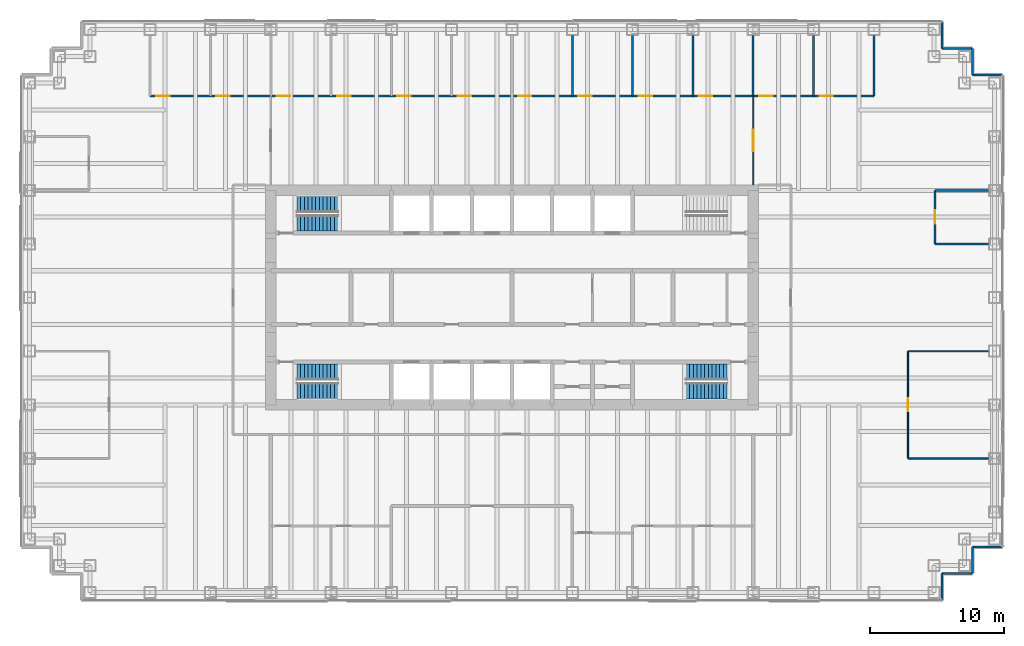
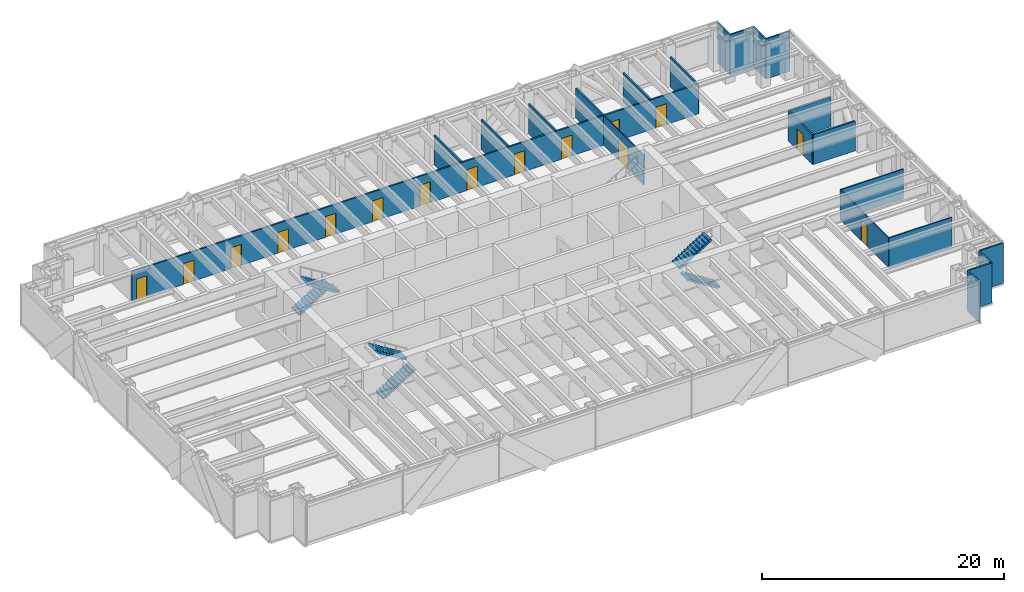
# One storey, part 15 of 17: 22 walls, 15 doors, 6 stair flights, 15 openings, 3 elements without a shape of their own.
"""IFC4 building model written with IfcOpenShell, lengths in metres."""

import ifcopenshell
import ifcopenshell.guid

model = None  # the IFC model being written
_history = None  # IfcOwnerHistory: only IFC2X3 demands one
_inside = {}  # id of a spatial element -> (the spatial element, [elements in it])
_under = {}  # id of a project, library or spatial element -> (it, [spatial elements below it])
_declared = {}  # id of a project -> (the project, [libraries it declares])
_typed = {}  # id of a type object -> (the type object, [elements of that type])
_made_of = {}  # id of a material, layer set ... -> (it, [elements and type objects made of it])


def new_model(schema):
    """Start an empty IFC model of exactly this schema.

    Asked for "IFC4X3", IfcOpenShell would pick the latest addendum, in which some entities
    have other attributes; the version numbers below select the first issue.
    IFC2X3 requires an IfcOwnerHistory on every rooted entity: one is made here for all.
    """
    global model, _history
    if schema == "IFC4X3":
        model = ifcopenshell.file(schema_version=(4, 3, 0, 0))
    else:
        model = ifcopenshell.file(schema=schema)
    _inside.clear()
    _under.clear()
    _declared.clear()
    _typed.clear()
    _made_of.clear()
    _history = None
    if model.schema == "IFC2X3":
        org = make("IfcOrganization", Name="unknown")
        user = make(
            "IfcPersonAndOrganization",
            ThePerson=make("IfcPerson", FamilyName="unknown"),
            TheOrganization=org,
        )
        app = make(
            "IfcApplication",
            ApplicationDeveloper=org,
            Version="unknown",
            ApplicationFullName="unknown",
            ApplicationIdentifier="unknown",
        )
        _history = make(
            "IfcOwnerHistory",
            OwningUser=user,
            OwningApplication=app,
            ChangeAction="ADDED",
            CreationDate=0,
        )
    return model


def make(cls, **values):
    """One entity of the class cls with the attributes given. An attribute that is None is left unset."""
    return model.create_entity(
        cls, **{name: value for name, value in values.items() if value is not None}
    )


def rooted(cls, **values):
    """An entity with a GlobalId (a new one), such as an element, a storey or a relation."""
    return make(cls, GlobalId=ifcopenshell.guid.new(), OwnerHistory=_history, **values)


def si_unit(unit_type, name, prefix=None):
    """IfcSIUnit, for example si_unit("LENGTHUNIT", "METRE", prefix="MILLI")."""
    return make("IfcSIUnit", UnitType=unit_type, Prefix=prefix, Name=name)


def assignment(units):
    """IfcUnitAssignment: the units of a project."""
    return None if units is None else make("IfcUnitAssignment", Units=units)


def point(xyz):
    """IfcCartesianPoint."""
    return None if xyz is None else make("IfcCartesianPoint", Coordinates=xyz)


def direction(xyz):
    """IfcDirection."""
    return None if xyz is None else make("IfcDirection", DirectionRatios=xyz)


def frame(location, z_axis=None, x_axis=None):
    """IfcAxis2Placement3D, a coordinate frame: its origin and axes. An axis left out is left unset."""
    return make(
        "IfcAxis2Placement3D",
        Location=point(location),
        Axis=direction(z_axis),
        RefDirection=direction(x_axis),
    )


def frame_2d(location, x_axis=None):
    """IfcAxis2Placement2D, a coordinate frame in the plane: its origin and x axis."""
    return make(
        "IfcAxis2Placement2D", Location=point(location), RefDirection=direction(x_axis)
    )


def origin():
    """The frame at (0, 0, 0) with its axes left unset."""
    return frame((0.0, 0.0, 0.0))


def place(relative_to, where):
    """IfcLocalPlacement: puts the frame where relative to a parent placement (None: the world)."""
    return make(
        "IfcLocalPlacement", PlacementRelTo=relative_to, RelativePlacement=where
    )


def context(
    kind, dimensions, precision=None, world=None, true_north=None, identifier=None
):
    """IfcGeometricRepresentationContext, for example the 3D "Model" context."""
    return make(
        "IfcGeometricRepresentationContext",
        ContextIdentifier=identifier,
        ContextType=kind,
        CoordinateSpaceDimension=dimensions,
        Precision=precision,
        WorldCoordinateSystem=world,
        TrueNorth=true_north,
    )


def subcontext(parent, identifier, kind, view, scale=None):
    """IfcGeometricRepresentationSubContext, for example "Body" below "Model"."""
    return make(
        "IfcGeometricRepresentationSubContext",
        ContextIdentifier=identifier,
        ContextType=kind,
        ParentContext=parent,
        TargetScale=scale,
        TargetView=view,
    )


def project(units=None, contexts=None):
    """IfcProject with its units and contexts."""
    return rooted(
        "IfcProject",
        Name="project",
        RepresentationContexts=contexts,
        UnitsInContext=assignment(units),
    )


def spatial(cls, under=None, at=None, **own):
    """A site, building, storey or space (cls), placed at a placement, below another one or the project."""
    s = rooted(cls, ObjectPlacement=at, **own)
    if under is not None:
        _under.setdefault(under.id(), (under, []))[1].append(s)
    return s


def polyline(points):
    """IfcPolyline through the points."""
    return make("IfcPolyline", Points=[point(p) for p in points])


def profile(cls, at=None, kind="AREA", **sizes):
    """A parametric profile (cls). Its sizes go by their IFC names, for example OverallWidth=200.0."""
    return make(cls, ProfileType=kind, Position=at, **sizes)


def rectangle(**sizes):
    """IfcRectangleProfileDef."""
    return profile("IfcRectangleProfileDef", **sizes)


def outline(outer, holes=None, kind="AREA"):
    """IfcArbitraryClosedProfileDef: a profile drawn as a closed curve; with holes, ...WithVoids."""
    if holes is None:
        return make("IfcArbitraryClosedProfileDef", ProfileType=kind, OuterCurve=outer)
    return make(
        "IfcArbitraryProfileDefWithVoids",
        ProfileType=kind,
        OuterCurve=outer,
        InnerCurves=holes,
    )


def extrude(swept, where, along, depth):
    """IfcExtrudedAreaSolid: the profile swept, set in the frame where, extruded along a direction by depth."""
    return make(
        "IfcExtrudedAreaSolid",
        SweptArea=swept,
        Position=where,
        ExtrudedDirection=direction(along),
        Depth=depth,
    )


def shape(context_of_items, identifier, shape_type, items):
    """IfcShapeRepresentation: the items that make up one representation, for example the "Body"."""
    return make(
        "IfcShapeRepresentation",
        ContextOfItems=context_of_items,
        RepresentationIdentifier=identifier,
        RepresentationType=shape_type,
        Items=items,
    )


def material(Name=None, Category=None):
    """IfcMaterial."""
    return make("IfcMaterial", Name=Name, Category=Category)


def layer(
    of_material, thickness, ventilated=None, Name=None, Category=None, Priority=None
):
    """IfcMaterialLayer: one layer of a wall or slab, of a material (None: an air gap)."""
    return make(
        "IfcMaterialLayer",
        Material=of_material,
        LayerThickness=thickness,
        IsVentilated=ventilated,
        Name=Name,
        Category=Category,
        Priority=Priority,
    )


def layer_set(layers, Name=None):
    """IfcMaterialLayerSet."""
    return make("IfcMaterialLayerSet", MaterialLayers=layers, LayerSetName=Name)


def made_of(thing, what):
    """Note that an element or type object is made of a material, layer set ...; save() writes the relation."""
    if what is not None:
        _made_of.setdefault(what.id(), (what, []))[1].append(thing)
    return thing


def type_object(cls, material=None, **own):
    """A type object (cls), such as IfcWallType, which elements share."""
    return made_of(rooted(cls, **own), material)


def element(
    cls,
    number,
    at=None,
    inside=None,
    cuts=None,
    type_object=None,
    material=None,
    context=None,
    identifier="Body",
    shape_type=None,
    held_by="IfcProductDefinitionShape",
    body=None,
    shapes=None,
    **own,
):
    """One element of the class cls, such as IfcWall. Its Tag is "e" and its number.

    at: its placement. inside: the storey or other place that contains it. cuts: it is an
    opening in that element (IfcRelVoidsElement). A single representation is given by context,
    identifier, shape_type and body (its items); several are given by shapes. held_by: the class
    of the entity that holds the representations. save() writes the other relations.
    """
    e = rooted(cls, Tag="e%d" % number, ObjectPlacement=at, **own)
    if body is not None:
        shapes = [shape(context, identifier, shape_type, body)]
    if shapes is not None:
        e.Representation = make(held_by, Representations=shapes)
    if inside is not None:
        _inside.setdefault(inside.id(), (inside, []))[1].append(e)
    if cuts is not None:
        rooted(
            "IfcRelVoidsElement", RelatingBuildingElement=cuts, RelatedOpeningElement=e
        )
    if type_object is not None:
        _typed.setdefault(type_object.id(), (type_object, []))[1].append(e)
    return made_of(e, material)


def fill(opening, filler):
    """IfcRelFillsElement: the door or window that sits in an opening."""
    return rooted(
        "IfcRelFillsElement",
        RelatingOpeningElement=opening,
        RelatedBuildingElement=filler,
    )


def aggregate(whole, parts):
    """IfcRelAggregates: a whole, such as a stair, and the parts it consists of."""
    return rooted("IfcRelAggregates", RelatingObject=whole, RelatedObjects=parts)


def save(model, path):
    """Write the relations noted so far, then the file.

    IfcRelAggregates (storeys below a building ...), IfcRelContainedInSpatialStructure (elements
    in a storey), IfcRelDefinesByType, IfcRelAssociatesMaterial and IfcRelDeclares: one each for
    every whole, place, type object, material and project.
    """
    for whole, parts in _under.values():
        aggregate(whole, parts)
    for where, things in _inside.values():
        rooted(
            "IfcRelContainedInSpatialStructure",
            RelatedElements=things,
            RelatingStructure=where,
        )
    for kind, things in _typed.values():
        rooted("IfcRelDefinesByType", RelatedObjects=things, RelatingType=kind)
    for what, things in _made_of.values():
        rooted("IfcRelAssociatesMaterial", RelatedObjects=things, RelatingMaterial=what)
    for by, libraries in _declared.values():
        rooted("IfcRelDeclares", RelatingContext=by, RelatedDefinitions=libraries)
    model.write(path)


model = new_model("IFC4")

# Units and contexts
model_context = context("Model", 3, precision=1e-05, world=origin(), true_north=direction((0.0, 1.0)))
body_context = subcontext(model_context, "Body", "Model", "MODEL_VIEW")
ifc_project = project(units=[si_unit("LENGTHUNIT", "METRE"), si_unit("AREAUNIT", "SQUARE_METRE"), si_unit("VOLUMEUNIT", "CUBIC_METRE"), si_unit("PLANEANGLEUNIT", "RADIAN"), si_unit("MASSUNIT", "GRAM", prefix="KILO")], contexts=[model_context])

# Site, building, storey
site_placement = place(None, origin())
site = spatial("IfcSite", under=ifc_project, at=site_placement, CompositionType="ELEMENT")
building_placement = place(site_placement, origin())
building = spatial("IfcBuilding", under=site, at=building_placement, Name="Rheinbord Bourse Tower", CompositionType="ELEMENT")
storey_placement = place(building_placement, frame((0.0, 0.0, 223.60009765625)))
storey = spatial("IfcBuildingStorey", under=building, at=storey_placement, Name="L50", CompositionType="ELEMENT", Elevation=223.60009765625)

# Walls
ifc_material_1 = material(Name="Black metal rainscreen panel", Category="aluminium")
ifc_layer_1 = layer(ifc_material_1, 0.14990234375)
ifc_layer_set_1 = layer_set([ifc_layer_1], Name="CORNER PIER CLADDING 150")
wall_type_1 = type_object("IfcWallType", Name="CORNER PIER CLADDING 150", PredefinedType="ELEMENTEDWALL", material=ifc_layer_set_1)
wall_1_placement = place(storey_placement, frame((68.10009765625, 1.39990234375, 0.0), z_axis=(0.0, 0.0, 1.0), x_axis=(0.0, 1.0, 0.0)))
element("IfcWall", 1, at=wall_1_placement, inside=storey, type_object=wall_type_1, Name="Corner pier cladding L50 2", PredefinedType="ELEMENTEDWALL", context=body_context, shape_type="SweptSolid", body=[
    extrude(rectangle(XDim=2.0, YDim=0.14990234375, at=frame_2d((1.0, 0.0))), origin(), (0.0, 0.0, 1.0), 4.039794921875),
])
wall_2_placement = place(storey_placement, frame((68.10009765625, 3.39990234375, 0.0), z_axis=(0.0, 0.0, 1.0), x_axis=(1.0, 0.0, 0.0)))
element("IfcWall", 2, at=wall_2_placement, inside=storey, type_object=wall_type_1, Name="Corner pier cladding L50 3", PredefinedType="ELEMENTEDWALL", context=body_context, shape_type="SweptSolid", body=[
    extrude(rectangle(XDim=2.25, YDim=0.14990234375, at=frame_2d((1.125, 0.0))), origin(), (0.0, 0.0, 1.0), 4.039794921875),
])
wall_3_placement = place(storey_placement, frame((70.35009765625, 3.39990234375, 0.0), z_axis=(0.0, 0.0, 1.0), x_axis=(0.0, 1.0, 0.0)))
element("IfcWall", 3, at=wall_3_placement, inside=storey, type_object=wall_type_1, Name="Corner pier cladding L50 4", PredefinedType="ELEMENTEDWALL", context=body_context, shape_type="SweptSolid", body=[
    extrude(rectangle(XDim=2.0, YDim=0.14990234375, at=frame_2d((1.0, 0.0))), origin(), (0.0, 0.0, 1.0), 4.039794921875),
])
for number, where, z_axis, x_axis, name in (
    (4, (70.35009765625, 5.39990234375, 0.0), (0.0, 0.0, 1.0), (1.0, 0.0, 0.0), "Corner pier cladding L50 5"),
    (5, (72.60009765625, 40.60009765625, 0.0), (0.0, 0.0, 1.0), (-1.0, 0.0, 0.0), "Corner pier cladding L50 7"),
):
    element("IfcWall", number, at=place(storey_placement, frame(where, z_axis=z_axis, x_axis=x_axis)), inside=storey, type_object=wall_type_1, Name=name, PredefinedType="ELEMENTEDWALL", context=body_context, shape_type="SweptSolid", body=[
        extrude(rectangle(XDim=2.25, YDim=0.14990234375, at=frame_2d((1.125, 0.0))), origin(), (0.0, 0.0, 1.0), 4.039794921875),
    ])
wall_4_placement = place(storey_placement, frame((70.35009765625, 40.60009765625, 0.0), z_axis=(0.0, 0.0, 1.0), x_axis=(0.0, 1.0, 0.0)))
element("IfcWall", 6, at=wall_4_placement, inside=storey, type_object=wall_type_1, Name="Corner pier cladding L50 8", PredefinedType="ELEMENTEDWALL", context=body_context, shape_type="SweptSolid", body=[
    extrude(rectangle(XDim=2.0, YDim=0.14990234375, at=frame_2d((1.0, 0.0))), origin(), (0.0, 0.0, 1.0), 4.039794921875),
])
wall_5_placement = place(storey_placement, frame((70.35009765625, 42.60009765625, 0.0), z_axis=(0.0, 0.0, 1.0), x_axis=(-1.0, 0.0, 0.0)))
element("IfcWall", 7, at=wall_5_placement, inside=storey, type_object=wall_type_1, Name="Corner pier cladding L50 9", PredefinedType="ELEMENTEDWALL", context=body_context, shape_type="SweptSolid", body=[
    extrude(rectangle(XDim=2.25, YDim=0.14990234375, at=frame_2d((1.125, 0.0))), origin(), (0.0, 0.0, 1.0), 4.039794921875),
])
wall_6_placement = place(storey_placement, frame((68.10009765625, 42.60009765625, 0.0), z_axis=(0.0, 0.0, 1.0), x_axis=(0.0, 1.0, 0.0)))
element("IfcWall", 8, at=wall_6_placement, inside=storey, type_object=wall_type_1, Name="Corner pier cladding L50 10", PredefinedType="ELEMENTEDWALL", context=body_context, shape_type="SweptSolid", body=[
    extrude(rectangle(XDim=2.0, YDim=0.14990234375, at=frame_2d((1.0, 0.0))), origin(), (0.0, 0.0, 1.0), 4.039794921875),
])
ifc_material_2 = material(Name="Toughened laminated glass partition", Category="glass")
ifc_layer_2 = layer(ifc_material_2, 0.10009765625)
ifc_layer_set_2 = layer_set([ifc_layer_2], Name="GLAZED PARTITION 100")
wall_type_2 = type_object("IfcWallType", Name="GLAZED PARTITION 100", PredefinedType="PARTITIONING", material=ifc_layer_set_2)
for number, where, z_axis, x_axis, name in (
    (9, (65.550048828125, 12.0, 0.0), (0.0, 0.0, 1.0), (1.0, 0.0, 0.0), "Partition L50-06"),
    (10, (65.550048828125, 20.0, 0.0), (0.0, 0.0, 1.0), (1.0, 0.0, 0.0), "Partition L50-09"),
):
    element("IfcWall", number, at=place(storey_placement, frame(where, z_axis=z_axis, x_axis=x_axis)), inside=storey, type_object=wall_type_2, Name=name, PredefinedType="PARTITIONING", context=body_context, shape_type="SweptSolid", body=[
        extrude(rectangle(XDim=6.0, YDim=0.10009765625, at=frame_2d((3.0, 0.0))), origin(), (0.0, 0.0, 1.0), 3.0),
    ])

# Wall, opening, door
wall_7_placement = place(storey_placement, frame((54.0, 32.39990234375, 0.0), z_axis=(0.0, 0.0, 1.0), x_axis=(0.0, 1.0, 0.0)))
wall_7 = element("IfcWall", 11, at=wall_7_placement, inside=storey, type_object=wall_type_2, Name="Partition L50-38", PredefinedType="PARTITIONING", context=body_context, shape_type="SweptSolid", body=[
    extrude(rectangle(XDim=6.650146484375, YDim=0.10009765625, at=frame_2d((3.3251953125, 0.0))), origin(), (0.0, 0.0, 1.0), 3.0),
])
opening_1_placement = place(wall_7_placement, frame((2.52490234375, 0.0, 0.0)))
opening_1 = element("IfcOpeningElement", 12, at=opening_1_placement, cuts=wall_7, Name="Opening 50D24", PredefinedType="OPENING", context=body_context, shape_type="SweptSolid", body=[
    extrude(rectangle(XDim=1.60009765625, YDim=2.10009765625, at=frame_2d((0.800048828125, 1.050048828125))), frame((0.0, 0.06005859375, 0.0), z_axis=(0.0, -1.0, 0.0), x_axis=(1.0, 0.0, 0.0)), (0.0, 0.0, 1.0), 0.1201171875),
])
ifc_material_3 = material(Name="Timber door", Category="wood")
door_type_1 = type_object("IfcDoorType", Name="DOUBLE ROOM DOOR 1600", OperationType="DOUBLE_DOOR_DOUBLE_SWING", PredefinedType="DOOR", material=ifc_material_3)
door_1_placement = place(opening_1_placement, origin())
door_1 = element("IfcDoor", 13, at=door_1_placement, inside=storey, type_object=door_type_1, Name="Open area door L50", OperationType="SINGLE_SWING_LEFT", OverallHeight=2.10009765625, OverallWidth=1.60009765625, PredefinedType="DOOR", context=body_context, shape_type="SweptSolid", body=[
    extrude(rectangle(XDim=1.60009765625, YDim=2.10009765625, at=frame_2d((0.800048828125, 1.050048828125))), frame((0.0, 0.02490234375, 0.0), z_axis=(0.0, -1.0, 0.0), x_axis=(1.0, 0.0, 0.0)), (0.0, 0.0, 1.0), 0.050048828125),
])
fill(opening_1, door_1)

wall_8_placement = place(storey_placement, frame((65.550048828125, 12.0, 0.0), z_axis=(0.0, 0.0, 1.0), x_axis=(0.0, 1.0, 0.0)))
wall_8 = element("IfcWall", 14, at=wall_8_placement, inside=storey, type_object=wall_type_2, Name="Partition L50-43", PredefinedType="PARTITIONING", context=body_context, shape_type="SweptSolid", body=[
    extrude(rectangle(XDim=8.0, YDim=0.10009765625, at=frame_2d((4.0, 0.0))), origin(), (0.0, 0.0, 1.0), 3.0),
])
opening_2_placement = place(wall_8_placement, frame((3.5, 0.0, 0.0)))
opening_2 = element("IfcOpeningElement", 15, at=opening_2_placement, cuts=wall_8, Name="Opening 50D07", PredefinedType="OPENING", context=body_context, shape_type="SweptSolid", body=[
    extrude(rectangle(XDim=1.0, YDim=2.10009765625, at=frame_2d((0.5, 1.050048828125))), frame((0.0, 0.06005859375, 0.0), z_axis=(0.0, -1.0, 0.0), x_axis=(1.0, 0.0, 0.0)), (0.0, 0.0, 1.0), 0.1201171875),
])
ifc_material_4 = material(Name="Timber door", Category="wood")
door_type_2 = type_object("IfcDoorType", Name="ROOM DOOR 1000", OperationType="SINGLE_SWING_LEFT", PredefinedType="DOOR", material=ifc_material_4)
door_2_placement = place(opening_2_placement, origin())
door_2 = element("IfcDoor", 16, at=door_2_placement, inside=storey, type_object=door_type_2, Name="Meeting room door L50", OperationType="SINGLE_SWING_LEFT", OverallHeight=2.10009765625, OverallWidth=1.0, PredefinedType="DOOR", context=body_context, shape_type="SweptSolid", body=[
    extrude(rectangle(XDim=1.0, YDim=2.10009765625, at=frame_2d((0.5, 1.050048828125))), frame((0.0, 0.02490234375, 0.0), z_axis=(0.0, -1.0, 0.0), x_axis=(1.0, 0.0, 0.0)), (0.0, 0.0, 1.0), 0.050048828125),
])
fill(opening_2, door_2)

# Walls
ifc_material_5 = material(Name="Gypsum board partition", Category="gypsum board")
ifc_layer_3 = layer(ifc_material_5, 0.14990234375)
ifc_layer_set_3 = layer_set([ifc_layer_3], Name="PARTITION 150")
wall_type_3 = type_object("IfcWallType", Name="PARTITION 150", PredefinedType="PARTITIONING", material=ifc_layer_set_3)
for number, where, z_axis, x_axis, name in (
    (17, (67.550048828125, 28.0, 0.0), (0.0, 0.0, 1.0), (1.0, 0.0, 0.0), "Partition L50-10"),
    (18, (67.550048828125, 32.0, 0.0), (0.0, 0.0, 1.0), (1.0, 0.0, 0.0), "Partition L50-12"),
):
    element("IfcWall", number, at=place(storey_placement, frame(where, z_axis=z_axis, x_axis=x_axis)), inside=storey, type_object=wall_type_3, Name=name, PredefinedType="PARTITIONING", context=body_context, shape_type="SweptSolid", body=[
        extrude(rectangle(XDim=4.0, YDim=0.14990234375, at=frame_2d((2.0, 0.0))), origin(), (0.0, 0.0, 1.0), 3.0),
    ])

# Wall, openings, doors
wall_9_placement = place(storey_placement, frame((9.0, 39.050048828125, 0.0), z_axis=(0.0, 0.0, 1.0), x_axis=(1.0, 0.0, 0.0)))
wall_9 = element("IfcWall", 19, at=wall_9_placement, inside=storey, type_object=wall_type_3, Name="Partition L50-16", PredefinedType="PARTITIONING", context=body_context, shape_type="SweptSolid", body=[
    extrude(rectangle(XDim=54.0, YDim=0.14990234375, at=frame_2d((27.0, 0.0))), origin(), (0.0, 0.0, 1.0), 3.0),
])
opening_3_placement = place(wall_9_placement, frame((0.449951171875, 0.0, 0.0)))
opening_3 = element("IfcOpeningElement", 20, at=opening_3_placement, cuts=wall_9, Name="Opening 50D11", PredefinedType="OPENING", context=body_context, shape_type="SweptSolid", body=[
    extrude(rectangle(XDim=1.0, YDim=2.10009765625, at=frame_2d((0.5, 1.050048828125))), frame((0.0, 0.0849609375, 0.0), z_axis=(0.0, -1.0, 0.0), x_axis=(1.0, 0.0, 0.0)), (0.0, 0.0, 1.0), 0.169921875),
])
opening_4_placement = place(wall_9_placement, frame((4.949951171875, 0.0, 0.0)))
opening_4 = element("IfcOpeningElement", 21, at=opening_4_placement, cuts=wall_9, Name="Opening 50D12", PredefinedType="OPENING", context=body_context, shape_type="SweptSolid", body=[
    extrude(rectangle(XDim=1.0, YDim=2.10009765625, at=frame_2d((0.5, 1.050048828125))), frame((0.0, 0.0849609375, 0.0), z_axis=(0.0, -1.0, 0.0), x_axis=(1.0, 0.0, 0.0)), (0.0, 0.0, 1.0), 0.169921875),
])
opening_5_placement = place(wall_9_placement, frame((9.449951171875, 0.0, 0.0)))
opening_5 = element("IfcOpeningElement", 22, at=opening_5_placement, cuts=wall_9, Name="Opening 50D13", PredefinedType="OPENING", context=body_context, shape_type="SweptSolid", body=[
    extrude(rectangle(XDim=1.0, YDim=2.10009765625, at=frame_2d((0.5, 1.050048828125))), frame((0.0, 0.0849609375, 0.0), z_axis=(0.0, -1.0, 0.0), x_axis=(1.0, 0.0, 0.0)), (0.0, 0.0, 1.0), 0.169921875),
])
opening_6_placement = place(wall_9_placement, frame((13.949951171875, 0.0, 0.0)))
opening_6 = element("IfcOpeningElement", 23, at=opening_6_placement, cuts=wall_9, Name="Opening 50D14", PredefinedType="OPENING", context=body_context, shape_type="SweptSolid", body=[
    extrude(rectangle(XDim=1.0, YDim=2.10009765625, at=frame_2d((0.5, 1.050048828125))), frame((0.0, 0.0849609375, 0.0), z_axis=(0.0, -1.0, 0.0), x_axis=(1.0, 0.0, 0.0)), (0.0, 0.0, 1.0), 0.169921875),
])
opening_7_placement = place(wall_9_placement, frame((18.449951171875, 0.0, 0.0)))
opening_7 = element("IfcOpeningElement", 24, at=opening_7_placement, cuts=wall_9, Name="Opening 50D15", PredefinedType="OPENING", context=body_context, shape_type="SweptSolid", body=[
    extrude(rectangle(XDim=1.0, YDim=2.10009765625, at=frame_2d((0.5, 1.050048828125))), frame((0.0, 0.0849609375, 0.0), z_axis=(0.0, -1.0, 0.0), x_axis=(1.0, 0.0, 0.0)), (0.0, 0.0, 1.0), 0.169921875),
])
opening_8_placement = place(wall_9_placement, frame((22.949951171875, 0.0, 0.0)))
opening_8 = element("IfcOpeningElement", 25, at=opening_8_placement, cuts=wall_9, Name="Opening 50D16", PredefinedType="OPENING", context=body_context, shape_type="SweptSolid", body=[
    extrude(rectangle(XDim=1.0, YDim=2.10009765625, at=frame_2d((0.5, 1.050048828125))), frame((0.0, 0.0849609375, 0.0), z_axis=(0.0, -1.0, 0.0), x_axis=(1.0, 0.0, 0.0)), (0.0, 0.0, 1.0), 0.169921875),
])
opening_9_placement = place(wall_9_placement, frame((27.449951171875, 0.0, 0.0)))
opening_9 = element("IfcOpeningElement", 26, at=opening_9_placement, cuts=wall_9, Name="Opening 50D17", PredefinedType="OPENING", context=body_context, shape_type="SweptSolid", body=[
    extrude(rectangle(XDim=1.0, YDim=2.10009765625, at=frame_2d((0.5, 1.050048828125))), frame((0.0, 0.0849609375, 0.0), z_axis=(0.0, -1.0, 0.0), x_axis=(1.0, 0.0, 0.0)), (0.0, 0.0, 1.0), 0.169921875),
])
opening_10_placement = place(wall_9_placement, frame((31.949951171875, 0.0, 0.0)))
opening_10 = element("IfcOpeningElement", 27, at=opening_10_placement, cuts=wall_9, Name="Opening 50D18", PredefinedType="OPENING", context=body_context, shape_type="SweptSolid", body=[
    extrude(rectangle(XDim=1.0, YDim=2.10009765625, at=frame_2d((0.5, 1.050048828125))), frame((0.0, 0.0849609375, 0.0), z_axis=(0.0, -1.0, 0.0), x_axis=(1.0, 0.0, 0.0)), (0.0, 0.0, 1.0), 0.169921875),
])
opening_11_placement = place(wall_9_placement, frame((36.449951171875, 0.0, 0.0)))
opening_11 = element("IfcOpeningElement", 28, at=opening_11_placement, cuts=wall_9, Name="Opening 50D19", PredefinedType="OPENING", context=body_context, shape_type="SweptSolid", body=[
    extrude(rectangle(XDim=1.0, YDim=2.10009765625, at=frame_2d((0.5, 1.050048828125))), frame((0.0, 0.0849609375, 0.0), z_axis=(0.0, -1.0, 0.0), x_axis=(1.0, 0.0, 0.0)), (0.0, 0.0, 1.0), 0.169921875),
])
opening_12_placement = place(wall_9_placement, frame((40.949951171875, 0.0, 0.0)))
opening_12 = element("IfcOpeningElement", 29, at=opening_12_placement, cuts=wall_9, Name="Opening 50D20", PredefinedType="OPENING", context=body_context, shape_type="SweptSolid", body=[
    extrude(rectangle(XDim=1.0, YDim=2.10009765625, at=frame_2d((0.5, 1.050048828125))), frame((0.0, 0.0849609375, 0.0), z_axis=(0.0, -1.0, 0.0), x_axis=(1.0, 0.0, 0.0)), (0.0, 0.0, 1.0), 0.169921875),
])
opening_13_placement = place(wall_9_placement, frame((45.449951171875, 0.0, 0.0)))
opening_13 = element("IfcOpeningElement", 30, at=opening_13_placement, cuts=wall_9, Name="Opening 50D21", PredefinedType="OPENING", context=body_context, shape_type="SweptSolid", body=[
    extrude(rectangle(XDim=1.0, YDim=2.10009765625, at=frame_2d((0.5, 1.050048828125))), frame((0.0, 0.0849609375, 0.0), z_axis=(0.0, -1.0, 0.0), x_axis=(1.0, 0.0, 0.0)), (0.0, 0.0, 1.0), 0.169921875),
])
opening_14_placement = place(wall_9_placement, frame((49.949951171875, 0.0, 0.0)))
opening_14 = element("IfcOpeningElement", 31, at=opening_14_placement, cuts=wall_9, Name="Opening 50D22", PredefinedType="OPENING", context=body_context, shape_type="SweptSolid", body=[
    extrude(rectangle(XDim=1.0, YDim=2.10009765625, at=frame_2d((0.5, 1.050048828125))), frame((0.0, 0.0849609375, 0.0), z_axis=(0.0, -1.0, 0.0), x_axis=(1.0, 0.0, 0.0)), (0.0, 0.0, 1.0), 0.169921875),
])
door_3_placement = place(opening_3_placement, origin())
door_3 = element("IfcDoor", 32, at=door_3_placement, inside=storey, type_object=door_type_2, Name="Office door L50", OperationType="SINGLE_SWING_LEFT", OverallHeight=2.10009765625, OverallWidth=1.0, PredefinedType="DOOR", context=body_context, shape_type="SweptSolid", body=[
    extrude(rectangle(XDim=1.0, YDim=2.10009765625, at=frame_2d((0.5, 1.050048828125))), frame((0.0, 0.02490234375, 0.0), z_axis=(0.0, -1.0, 0.0), x_axis=(1.0, 0.0, 0.0)), (0.0, 0.0, 1.0), 0.050048828125),
])
fill(opening_3, door_3)
door_4_placement = place(opening_4_placement, origin())
door_4 = element("IfcDoor", 33, at=door_4_placement, inside=storey, type_object=door_type_2, Name="Office door L50", OperationType="SINGLE_SWING_LEFT", OverallHeight=2.10009765625, OverallWidth=1.0, PredefinedType="DOOR", context=body_context, shape_type="SweptSolid", body=[
    extrude(rectangle(XDim=1.0, YDim=2.10009765625, at=frame_2d((0.5, 1.050048828125))), frame((0.0, 0.02490234375, 0.0), z_axis=(0.0, -1.0, 0.0), x_axis=(1.0, 0.0, 0.0)), (0.0, 0.0, 1.0), 0.050048828125),
])
fill(opening_4, door_4)
door_5_placement = place(opening_5_placement, origin())
door_5 = element("IfcDoor", 34, at=door_5_placement, inside=storey, type_object=door_type_2, Name="Office door L50", OperationType="SINGLE_SWING_LEFT", OverallHeight=2.10009765625, OverallWidth=1.0, PredefinedType="DOOR", context=body_context, shape_type="SweptSolid", body=[
    extrude(rectangle(XDim=1.0, YDim=2.10009765625, at=frame_2d((0.5, 1.050048828125))), frame((0.0, 0.02490234375, 0.0), z_axis=(0.0, -1.0, 0.0), x_axis=(1.0, 0.0, 0.0)), (0.0, 0.0, 1.0), 0.050048828125),
])
fill(opening_5, door_5)
door_6_placement = place(opening_6_placement, origin())
door_6 = element("IfcDoor", 35, at=door_6_placement, inside=storey, type_object=door_type_2, Name="Office door L50", OperationType="SINGLE_SWING_LEFT", OverallHeight=2.10009765625, OverallWidth=1.0, PredefinedType="DOOR", context=body_context, shape_type="SweptSolid", body=[
    extrude(rectangle(XDim=1.0, YDim=2.10009765625, at=frame_2d((0.5, 1.050048828125))), frame((0.0, 0.02490234375, 0.0), z_axis=(0.0, -1.0, 0.0), x_axis=(1.0, 0.0, 0.0)), (0.0, 0.0, 1.0), 0.050048828125),
])
fill(opening_6, door_6)
door_7_placement = place(opening_7_placement, origin())
door_7 = element("IfcDoor", 36, at=door_7_placement, inside=storey, type_object=door_type_2, Name="Office door L50", OperationType="SINGLE_SWING_LEFT", OverallHeight=2.10009765625, OverallWidth=1.0, PredefinedType="DOOR", context=body_context, shape_type="SweptSolid", body=[
    extrude(rectangle(XDim=1.0, YDim=2.10009765625, at=frame_2d((0.5, 1.050048828125))), frame((0.0, 0.02490234375, 0.0), z_axis=(0.0, -1.0, 0.0), x_axis=(1.0, 0.0, 0.0)), (0.0, 0.0, 1.0), 0.050048828125),
])
fill(opening_7, door_7)
door_8_placement = place(opening_8_placement, origin())
door_8 = element("IfcDoor", 37, at=door_8_placement, inside=storey, type_object=door_type_2, Name="Office door L50", OperationType="SINGLE_SWING_LEFT", OverallHeight=2.10009765625, OverallWidth=1.0, PredefinedType="DOOR", context=body_context, shape_type="SweptSolid", body=[
    extrude(rectangle(XDim=1.0, YDim=2.10009765625, at=frame_2d((0.5, 1.050048828125))), frame((0.0, 0.02490234375, 0.0), z_axis=(0.0, -1.0, 0.0), x_axis=(1.0, 0.0, 0.0)), (0.0, 0.0, 1.0), 0.050048828125),
])
fill(opening_8, door_8)
door_9_placement = place(opening_9_placement, origin())
door_9 = element("IfcDoor", 38, at=door_9_placement, inside=storey, type_object=door_type_2, Name="Office door L50", OperationType="SINGLE_SWING_RIGHT", OverallHeight=2.10009765625, OverallWidth=1.0, PredefinedType="DOOR", context=body_context, shape_type="SweptSolid", body=[
    extrude(rectangle(XDim=1.0, YDim=2.10009765625, at=frame_2d((0.5, 1.050048828125))), frame((0.0, 0.02490234375, 0.0), z_axis=(0.0, -1.0, 0.0), x_axis=(1.0, 0.0, 0.0)), (0.0, 0.0, 1.0), 0.050048828125),
])
fill(opening_9, door_9)
door_10_placement = place(opening_10_placement, origin())
door_10 = element("IfcDoor", 39, at=door_10_placement, inside=storey, type_object=door_type_2, Name="Office door L50", OperationType="SINGLE_SWING_RIGHT", OverallHeight=2.10009765625, OverallWidth=1.0, PredefinedType="DOOR", context=body_context, shape_type="SweptSolid", body=[
    extrude(rectangle(XDim=1.0, YDim=2.10009765625, at=frame_2d((0.5, 1.050048828125))), frame((0.0, 0.02490234375, 0.0), z_axis=(0.0, -1.0, 0.0), x_axis=(1.0, 0.0, 0.0)), (0.0, 0.0, 1.0), 0.050048828125),
])
fill(opening_10, door_10)
door_11_placement = place(opening_11_placement, origin())
door_11 = element("IfcDoor", 40, at=door_11_placement, inside=storey, type_object=door_type_2, Name="Office door L50", OperationType="SINGLE_SWING_RIGHT", OverallHeight=2.10009765625, OverallWidth=1.0, PredefinedType="DOOR", context=body_context, shape_type="SweptSolid", body=[
    extrude(rectangle(XDim=1.0, YDim=2.10009765625, at=frame_2d((0.5, 1.050048828125))), frame((0.0, 0.02490234375, 0.0), z_axis=(0.0, -1.0, 0.0), x_axis=(1.0, 0.0, 0.0)), (0.0, 0.0, 1.0), 0.050048828125),
])
fill(opening_11, door_11)
door_12_placement = place(opening_12_placement, origin())
door_12 = element("IfcDoor", 41, at=door_12_placement, inside=storey, type_object=door_type_2, Name="Office door L50", OperationType="SINGLE_SWING_RIGHT", OverallHeight=2.10009765625, OverallWidth=1.0, PredefinedType="DOOR", context=body_context, shape_type="SweptSolid", body=[
    extrude(rectangle(XDim=1.0, YDim=2.10009765625, at=frame_2d((0.5, 1.050048828125))), frame((0.0, 0.02490234375, 0.0), z_axis=(0.0, -1.0, 0.0), x_axis=(1.0, 0.0, 0.0)), (0.0, 0.0, 1.0), 0.050048828125),
])
fill(opening_12, door_12)
door_13_placement = place(opening_13_placement, origin())
door_13 = element("IfcDoor", 42, at=door_13_placement, inside=storey, type_object=door_type_2, Name="Office door L50", OperationType="SINGLE_SWING_RIGHT", OverallHeight=2.10009765625, OverallWidth=1.0, PredefinedType="DOOR", context=body_context, shape_type="SweptSolid", body=[
    extrude(rectangle(XDim=1.0, YDim=2.10009765625, at=frame_2d((0.5, 1.050048828125))), frame((0.0, 0.02490234375, 0.0), z_axis=(0.0, -1.0, 0.0), x_axis=(1.0, 0.0, 0.0)), (0.0, 0.0, 1.0), 0.050048828125),
])
fill(opening_13, door_13)
door_14_placement = place(opening_14_placement, origin())
door_14 = element("IfcDoor", 43, at=door_14_placement, inside=storey, type_object=door_type_2, Name="Office door L50", OperationType="SINGLE_SWING_RIGHT", OverallHeight=2.10009765625, OverallWidth=1.0, PredefinedType="DOOR", context=body_context, shape_type="SweptSolid", body=[
    extrude(rectangle(XDim=1.0, YDim=2.10009765625, at=frame_2d((0.5, 1.050048828125))), frame((0.0, 0.02490234375, 0.0), z_axis=(0.0, -1.0, 0.0), x_axis=(1.0, 0.0, 0.0)), (0.0, 0.0, 1.0), 0.050048828125),
])
fill(opening_14, door_14)

# Walls
for number, where, z_axis, x_axis, name in (
    (44, (40.5, 39.050048828125, 0.0), (0.0, 0.0, 1.0), (0.0, 1.0, 0.0), "Partition L50-32"),
    (45, (45.0, 39.050048828125, 0.0), (0.0, 0.0, 1.0), (0.0, 1.0, 0.0), "Partition L50-34"),
    (46, (49.5, 39.050048828125, 0.0), (0.0, 0.0, 1.0), (0.0, 1.0, 0.0), "Partition L50-36"),
    (47, (54.0, 39.050048828125, 0.0), (0.0, 0.0, 1.0), (0.0, 1.0, 0.0), "Partition L50-39"),
    (48, (58.5, 39.050048828125, 0.0), (0.0, 0.0, 1.0), (0.0, 1.0, 0.0), "Partition L50-41"),
    (49, (63.0, 39.050048828125, 0.0), (0.0, 0.0, 1.0), (0.0, 1.0, 0.0), "Partition L50-42"),
):
    element("IfcWall", number, at=place(storey_placement, frame(where, z_axis=z_axis, x_axis=x_axis)), inside=storey, type_object=wall_type_3, Name=name, PredefinedType="PARTITIONING", context=body_context, shape_type="SweptSolid", body=[
        extrude(rectangle(XDim=4.5, YDim=0.14990234375, at=frame_2d((2.25, 0.0))), origin(), (0.0, 0.0, 1.0), 3.0),
    ])

# Wall, opening, door
wall_10_placement = place(storey_placement, frame((67.550048828125, 28.0, 0.0), z_axis=(0.0, 0.0, 1.0), x_axis=(0.0, 1.0, 0.0)))
wall_10 = element("IfcWall", 50, at=wall_10_placement, inside=storey, type_object=wall_type_3, Name="Partition L50-44", PredefinedType="PARTITIONING", context=body_context, shape_type="SweptSolid", body=[
    extrude(rectangle(XDim=4.0, YDim=0.14990234375, at=frame_2d((2.0, 0.0))), origin(), (0.0, 0.0, 1.0), 3.0),
])
opening_15_placement = place(wall_10_placement, frame((1.5, 0.0, 0.0)))
opening_15 = element("IfcOpeningElement", 51, at=opening_15_placement, cuts=wall_10, Name="Opening 50D09", PredefinedType="OPENING", context=body_context, shape_type="SweptSolid", body=[
    extrude(rectangle(XDim=1.0, YDim=2.10009765625, at=frame_2d((0.5, 1.050048828125))), frame((0.0, 0.0849609375, 0.0), z_axis=(0.0, -1.0, 0.0), x_axis=(1.0, 0.0, 0.0)), (0.0, 0.0, 1.0), 0.169921875),
])
door_15_placement = place(opening_15_placement, origin())
door_15 = element("IfcDoor", 52, at=door_15_placement, inside=storey, type_object=door_type_2, Name="Kitchenette door L50", OperationType="SINGLE_SWING_LEFT", OverallHeight=2.10009765625, OverallWidth=1.0, PredefinedType="DOOR", context=body_context, shape_type="SweptSolid", body=[
    extrude(rectangle(XDim=1.0, YDim=2.10009765625, at=frame_2d((0.5, 1.050048828125))), frame((0.0, 0.02490234375, 0.0), z_axis=(0.0, -1.0, 0.0), x_axis=(1.0, 0.0, 0.0)), (0.0, 0.0, 1.0), 0.050048828125),
])
fill(opening_15, door_15)

# Stair, stair flights
ifc_material_6 = material(Name="Concrete C30/37", Category="concrete")
stair_type = type_object("IfcStairType", Name="CORE STAIR HALF TURN 4200", PredefinedType="HALF_TURN_STAIR", material=ifc_material_6)
stair_1_placement = place(storey_placement, origin())
stair_1 = element("IfcStair", 53, at=stair_1_placement, inside=storey, type_object=stair_type, Name="Stair ST1 L50, type CS6", PredefinedType="HALF_TURN_STAIR")
ifc_material_7 = material(Name="Concrete C30/37", Category="concrete")
stair_flight_type = type_object("IfcStairFlightType", Name="CORE STAIR FLIGHT 1200, 12 RISERS", PredefinedType="STRAIGHT", material=ifc_material_7)
stair_flight_1_placement = place(storey_placement, frame((19.949951171875, 17.050048828125, 0.0), z_axis=(0.0, 0.0, 1.0), x_axis=(1.0, 0.0, 0.0)))
stair_flight_1 = element("IfcStairFlight", 54, at=stair_flight_1_placement, type_object=stair_flight_type, Name="STAIR L50 ST1 F1", NumberOfRisers=12, NumberOfTreads=11, PredefinedType="STRAIGHT", RiserHeight=0.175, TreadLength=0.28, context=body_context, shape_type="SweptSolid", body=[
    extrude(outline(polyline([(0.0, 0.0), (0.0, 0.175048828125), (0.280029296875, 0.175048828125), (0.280029296875, 0.35009765625), (0.56005859375, 0.35009765625), (0.56005859375, 0.52490234375), (0.840087890625, 0.52490234375), (0.840087890625, 0.699951171875), (1.1201171875, 0.699951171875), (1.1201171875, 0.875), (1.39990234375, 0.875), (1.39990234375, 1.050048828125), (1.679931640625, 1.050048828125), (1.679931640625, 1.22509765625), (1.9599609375, 1.22509765625), (1.9599609375, 1.39990234375), (2.239990234375, 1.39990234375), (2.239990234375, 1.574951171875), (2.52001953125, 1.574951171875), (2.52001953125, 1.75), (2.800048828125, 1.75), (2.800048828125, 1.925048828125), (3.080078125, 1.925048828125), (3.080078125, 2.10009765625), (3.080078125, 1.748291015625), (0.28271484375, 0.0), (0.0, 0.0)])), frame((0.0, 0.60009765625, 0.0), z_axis=(0.0, -1.0, 0.0), x_axis=(1.0, 0.0, 0.0)), (0.0, 0.0, 1.0), 1.199951171875),
])
stair_flight_2_placement = place(storey_placement, frame((23.030029296875, 18.449951171875, 2.099853515625), z_axis=(0.0, 0.0, 1.0), x_axis=(-1.0, 0.0, 0.0)))
stair_flight_2 = element("IfcStairFlight", 55, at=stair_flight_2_placement, type_object=stair_flight_type, Name="STAIR L50 ST1 F2", NumberOfRisers=12, NumberOfTreads=11, PredefinedType="STRAIGHT", RiserHeight=0.175, TreadLength=0.28, context=body_context, shape_type="SweptSolid", body=[
    extrude(outline(polyline([(0.0, 0.0), (0.0, 0.175048828125), (0.280029296875, 0.175048828125), (0.280029296875, 0.35009765625), (0.56005859375, 0.35009765625), (0.56005859375, 0.52490234375), (0.840087890625, 0.52490234375), (0.840087890625, 0.699951171875), (1.1201171875, 0.699951171875), (1.1201171875, 0.875), (1.39990234375, 0.875), (1.39990234375, 1.050048828125), (1.679931640625, 1.050048828125), (1.679931640625, 1.22509765625), (1.9599609375, 1.22509765625), (1.9599609375, 1.39990234375), (2.239990234375, 1.39990234375), (2.239990234375, 1.574951171875), (2.52001953125, 1.574951171875), (2.52001953125, 1.75), (2.800048828125, 1.75), (2.800048828125, 1.925048828125), (3.080078125, 1.925048828125), (3.080078125, 2.10009765625), (3.080078125, 1.748291015625), (0.28271484375, 0.0), (0.0, 0.0)])), frame((0.0, 0.60009765625, 0.0), z_axis=(0.0, -1.0, 0.0), x_axis=(1.0, 0.0, 0.0)), (0.0, 0.0, 1.0), 1.199951171875),
])
aggregate(stair_1, [stair_flight_1, stair_flight_2])

stair_2_placement = place(storey_placement, origin())
stair_2 = element("IfcStair", 56, at=stair_2_placement, inside=storey, type_object=stair_type, Name="Stair ST2 L50, type CS6", PredefinedType="HALF_TURN_STAIR")
stair_flight_3_placement = place(storey_placement, frame((19.949951171875, 30.949951171875, 0.0), z_axis=(0.0, 0.0, 1.0), x_axis=(1.0, 0.0, 0.0)))
stair_flight_3 = element("IfcStairFlight", 57, at=stair_flight_3_placement, type_object=stair_flight_type, Name="STAIR L50 ST2 F1", NumberOfRisers=12, NumberOfTreads=11, PredefinedType="STRAIGHT", RiserHeight=0.175, TreadLength=0.28, context=body_context, shape_type="SweptSolid", body=[
    extrude(outline(polyline([(0.0, 0.0), (0.0, 0.175048828125), (0.280029296875, 0.175048828125), (0.280029296875, 0.35009765625), (0.56005859375, 0.35009765625), (0.56005859375, 0.52490234375), (0.840087890625, 0.52490234375), (0.840087890625, 0.699951171875), (1.1201171875, 0.699951171875), (1.1201171875, 0.875), (1.39990234375, 0.875), (1.39990234375, 1.050048828125), (1.679931640625, 1.050048828125), (1.679931640625, 1.22509765625), (1.9599609375, 1.22509765625), (1.9599609375, 1.39990234375), (2.239990234375, 1.39990234375), (2.239990234375, 1.574951171875), (2.52001953125, 1.574951171875), (2.52001953125, 1.75), (2.800048828125, 1.75), (2.800048828125, 1.925048828125), (3.080078125, 1.925048828125), (3.080078125, 2.10009765625), (3.080078125, 1.748291015625), (0.28271484375, 0.0), (0.0, 0.0)])), frame((0.0, 0.60009765625, 0.0), z_axis=(0.0, -1.0, 0.0), x_axis=(1.0, 0.0, 0.0)), (0.0, 0.0, 1.0), 1.199951171875),
])
stair_flight_4_placement = place(storey_placement, frame((23.030029296875, 29.550048828125, 2.099853515625), z_axis=(0.0, 0.0, 1.0), x_axis=(-1.0, 0.0, 0.0)))
stair_flight_4 = element("IfcStairFlight", 58, at=stair_flight_4_placement, type_object=stair_flight_type, Name="STAIR L50 ST2 F2", NumberOfRisers=12, NumberOfTreads=11, PredefinedType="STRAIGHT", RiserHeight=0.175, TreadLength=0.28, context=body_context, shape_type="SweptSolid", body=[
    extrude(outline(polyline([(0.0, 0.0), (0.0, 0.175048828125), (0.280029296875, 0.175048828125), (0.280029296875, 0.35009765625), (0.56005859375, 0.35009765625), (0.56005859375, 0.52490234375), (0.840087890625, 0.52490234375), (0.840087890625, 0.699951171875), (1.1201171875, 0.699951171875), (1.1201171875, 0.875), (1.39990234375, 0.875), (1.39990234375, 1.050048828125), (1.679931640625, 1.050048828125), (1.679931640625, 1.22509765625), (1.9599609375, 1.22509765625), (1.9599609375, 1.39990234375), (2.239990234375, 1.39990234375), (2.239990234375, 1.574951171875), (2.52001953125, 1.574951171875), (2.52001953125, 1.75), (2.800048828125, 1.75), (2.800048828125, 1.925048828125), (3.080078125, 1.925048828125), (3.080078125, 2.10009765625), (3.080078125, 1.748291015625), (0.28271484375, 0.0), (0.0, 0.0)])), frame((0.0, 0.60009765625, 0.0), z_axis=(0.0, -1.0, 0.0), x_axis=(1.0, 0.0, 0.0)), (0.0, 0.0, 1.0), 1.199951171875),
])
aggregate(stair_2, [stair_flight_3, stair_flight_4])

stair_3_placement = place(storey_placement, origin())
stair_3 = element("IfcStair", 59, at=stair_3_placement, inside=storey, type_object=stair_type, Name="Stair ST3 L50, type CS6", PredefinedType="HALF_TURN_STAIR")
stair_flight_5_placement = place(storey_placement, frame((52.050048828125, 17.050048828125, 0.0), z_axis=(0.0, 0.0, 1.0), x_axis=(-1.0, 0.0, 0.0)))
stair_flight_5 = element("IfcStairFlight", 60, at=stair_flight_5_placement, type_object=stair_flight_type, Name="STAIR L50 ST3 F1", NumberOfRisers=12, NumberOfTreads=11, PredefinedType="STRAIGHT", RiserHeight=0.175, TreadLength=0.28, context=body_context, shape_type="SweptSolid", body=[
    extrude(outline(polyline([(0.0, 0.0), (0.0, 0.175048828125), (0.280029296875, 0.175048828125), (0.280029296875, 0.35009765625), (0.56005859375, 0.35009765625), (0.56005859375, 0.52490234375), (0.840087890625, 0.52490234375), (0.840087890625, 0.699951171875), (1.1201171875, 0.699951171875), (1.1201171875, 0.875), (1.39990234375, 0.875), (1.39990234375, 1.050048828125), (1.679931640625, 1.050048828125), (1.679931640625, 1.22509765625), (1.9599609375, 1.22509765625), (1.9599609375, 1.39990234375), (2.239990234375, 1.39990234375), (2.239990234375, 1.574951171875), (2.52001953125, 1.574951171875), (2.52001953125, 1.75), (2.800048828125, 1.75), (2.800048828125, 1.925048828125), (3.080078125, 1.925048828125), (3.080078125, 2.10009765625), (3.080078125, 1.748291015625), (0.28271484375, 0.0), (0.0, 0.0)])), frame((0.0, 0.60009765625, 0.0), z_axis=(0.0, -1.0, 0.0), x_axis=(1.0, 0.0, 0.0)), (0.0, 0.0, 1.0), 1.199951171875),
])
stair_flight_6_placement = place(storey_placement, frame((48.969970703125, 18.449951171875, 2.099853515625), z_axis=(0.0, 0.0, 1.0), x_axis=(1.0, 0.0, 0.0)))
stair_flight_6 = element("IfcStairFlight", 61, at=stair_flight_6_placement, type_object=stair_flight_type, Name="STAIR L50 ST3 F2", NumberOfRisers=12, NumberOfTreads=11, PredefinedType="STRAIGHT", RiserHeight=0.175, TreadLength=0.28, context=body_context, shape_type="SweptSolid", body=[
    extrude(outline(polyline([(0.0, 0.0), (0.0, 0.175048828125), (0.280029296875, 0.175048828125), (0.280029296875, 0.35009765625), (0.56005859375, 0.35009765625), (0.56005859375, 0.52490234375), (0.840087890625, 0.52490234375), (0.840087890625, 0.699951171875), (1.1201171875, 0.699951171875), (1.1201171875, 0.875), (1.39990234375, 0.875), (1.39990234375, 1.050048828125), (1.679931640625, 1.050048828125), (1.679931640625, 1.22509765625), (1.9599609375, 1.22509765625), (1.9599609375, 1.39990234375), (2.239990234375, 1.39990234375), (2.239990234375, 1.574951171875), (2.52001953125, 1.574951171875), (2.52001953125, 1.75), (2.800048828125, 1.75), (2.800048828125, 1.925048828125), (3.080078125, 1.925048828125), (3.080078125, 2.10009765625), (3.080078125, 1.748291015625), (0.28271484375, 0.0), (0.0, 0.0)])), frame((0.0, 0.60009765625, 0.0), z_axis=(0.0, -1.0, 0.0), x_axis=(1.0, 0.0, 0.0)), (0.0, 0.0, 1.0), 1.199951171875),
])
aggregate(stair_3, [stair_flight_5, stair_flight_6])

save(model, "model.ifc")
